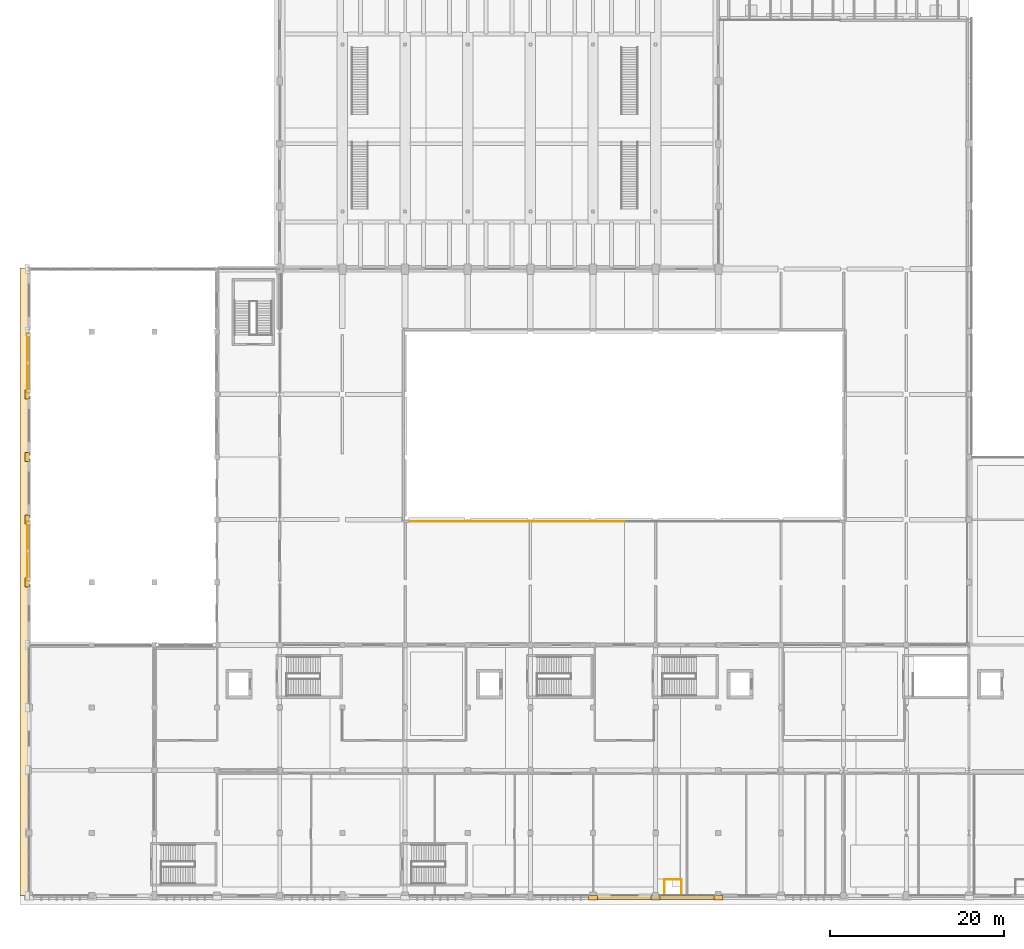
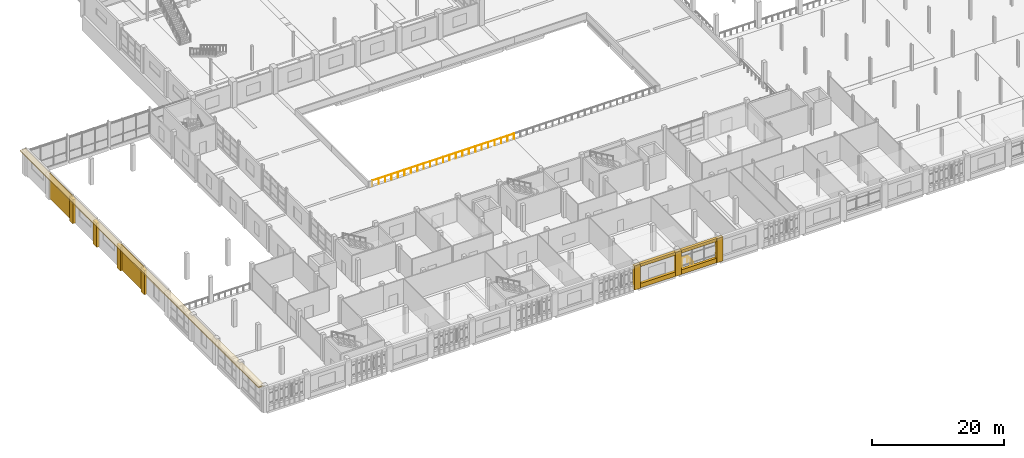
# One storey, part 70 of 82: 14 coverings, 5 railings.
"""IFC4 building model written with IfcOpenShell, lengths in metres."""

from ifc_helpers import new_model, si_unit, direction, frame, frame_2d, origin, origin_2d, place, context, subcontext, project, spatial, polyline, rectangle, circle, outline, extrude, material, layer, layer_set, type_object, element, save


model = new_model("IFC4")

# Units and contexts
model_context = context("Model", 3, precision=1e-05, world=origin(), true_north=direction((0.0, 1.0)))
body_context = subcontext(model_context, "Body", "Model", "MODEL_VIEW")
ifc_project = project(units=[si_unit("LENGTHUNIT", "METRE"), si_unit("AREAUNIT", "SQUARE_METRE"), si_unit("VOLUMEUNIT", "CUBIC_METRE"), si_unit("PLANEANGLEUNIT", "RADIAN"), si_unit("MASSUNIT", "GRAM", prefix="KILO")], contexts=[model_context])

# Site, building, storey
site_placement = place(None, origin())
site = spatial("IfcSite", under=ifc_project, at=site_placement, CompositionType="ELEMENT")
building_placement = place(site_placement, origin())
building = spatial("IfcBuilding", under=site, at=building_placement, Name="Sardonyx Promenade Sports Hall", CompositionType="ELEMENT")
storey_placement = place(building_placement, frame((0.0, 0.0, 11.199951171875)))
storey = spatial("IfcBuildingStorey", under=building, at=storey_placement, Name="L02", CompositionType="ELEMENT", Elevation=11.199951171875)

# Coverings
ifc_material_1 = material(Name="Dressed Cape red sandstone cornice", Category="masonry")
ifc_layer_1 = layer(ifc_material_1, 0.139892578125)
ifc_layer_set_1 = layer_set([ifc_layer_1], Name="Cov_Chhajja_Eave")
covering_type_1 = type_object("IfcCoveringType", Name="Cov_Chhajja_Eave", PredefinedType="MOLDING", material=ifc_layer_set_1)
covering_1_placement = place(storey_placement, frame((0.0, 0.0, 4.449951171875)))
element("IfcCovering", 1, at=covering_1_placement, inside=storey, type_object=covering_type_1, Name="West climbing L02 chhajja cornice", PredefinedType="MOLDING", context=body_context, shape_type="SweptSolid", body=[
    extrude(outline(polyline([(-1.050048828125, 0.0), (0.050048828125, 0.0), (0.050048828125, 72.10009765625), (-1.050048828125, 72.10009765625), (-1.050048828125, 0.0)])), origin(), (0.0, 0.0, 1.0), 0.22021484375),
])
ifc_material_2 = material(Name="Dressed Cape red sandstone ashlar", Category="masonry")
ifc_layer_2 = layer(ifc_material_2, 0.06005859375)
ifc_layer_set_2 = layer_set([ifc_layer_2], Name="Cov_Cladding_Sandstone")
covering_type_2 = type_object("IfcCoveringType", Name="Cov_Cladding_Sandstone", PredefinedType="CLADDING", material=ifc_layer_set_2)
for number, where, z_axis, x_axis, name in (
    (2, (-0.18505859375, 36.205078125, 0.050048828125), (0.0, 0.0, 1.0), (0.0, 1.0, 0.0), "Dressed sandstone ashlar cladding L02 #153"),
    (3, (-0.18505859375, 57.804931640625, 0.050048828125), (0.0, 0.0, 1.0), (0.0, 1.0, 0.0), "Dressed sandstone ashlar cladding L02 #156"),
):
    element("IfcCovering", number, at=place(storey_placement, frame(where, z_axis=z_axis, x_axis=x_axis)), inside=storey, type_object=covering_type_2, Name=name, PredefinedType="CLADDING", context=body_context, shape_type="SweptSolid", body=[
        extrude(rectangle(XDim=6.7900390625, YDim=0.050048828125, at=frame_2d((3.39501953125, 0.0))), origin(), (0.0, 0.0, 1.0), 4.699951171875),
    ])
covering_2_placement = place(storey_placement, origin())
element("IfcCovering", 4, at=covering_2_placement, inside=storey, type_object=covering_type_2, Name="South sandstone bay pier casing L02 #9", PredefinedType="CLADDING", context=body_context, shape_type="SweptSolid", body=[
    extrude(outline(polyline([(64.280029296875, -0.52001953125), (65.320068359375, -0.52001953125), (65.320068359375, 0.02001953125), (64.280029296875, 0.02001953125), (64.280029296875, -0.52001953125)])), origin(), (0.0, 0.0, 1.0), 4.449951171875),
])
covering_3_placement = place(storey_placement, origin())
element("IfcCovering", 5, at=covering_3_placement, inside=storey, type_object=covering_type_2, Name="South sandstone bay pier casing L02 #10", PredefinedType="CLADDING", context=body_context, shape_type="SweptSolid", body=[
    extrude(outline(polyline([(71.47998046875, -0.52001953125), (72.52001953125, -0.52001953125), (72.52001953125, 0.02001953125), (71.47998046875, 0.02001953125), (71.47998046875, -0.52001953125)])), origin(), (0.0, 0.0, 1.0), 4.449951171875),
])
covering_4_placement = place(storey_placement, origin())
element("IfcCovering", 6, at=covering_4_placement, inside=storey, type_object=covering_type_2, Name="South sandstone bay pier casing L02 #11", PredefinedType="CLADDING", context=body_context, shape_type="SweptSolid", body=[
    extrude(outline(polyline([(78.679931640625, -0.52001953125), (79.719970703125, -0.52001953125), (79.719970703125, 0.02001953125), (78.679931640625, 0.02001953125), (78.679931640625, -0.52001953125)])), origin(), (0.0, 0.0, 1.0), 4.449951171875),
])
covering_5_placement = place(storey_placement, origin())
element("IfcCovering", 7, at=covering_5_placement, inside=storey, type_object=covering_type_2, Name="South sandstone sill spandrel L02 #12", PredefinedType="CLADDING", context=body_context, shape_type="SweptSolid", body=[
    extrude(outline(polyline([(72.52001953125, -0.4599609375), (78.679931640625, -0.4599609375), (78.679931640625, 0.02001953125), (72.52001953125, 0.02001953125), (72.52001953125, -0.4599609375)])), origin(), (0.0, 0.0, 1.0), 0.820068359375),
])
covering_6_placement = place(storey_placement, frame((0.0, 0.0, 3.900146484375)))
element("IfcCovering", 8, at=covering_6_placement, inside=storey, type_object=covering_type_2, Name="South sandstone lintel frieze L02 #12", PredefinedType="CLADDING", context=body_context, shape_type="SweptSolid", body=[
    extrude(outline(polyline([(72.52001953125, -0.4599609375), (78.679931640625, -0.4599609375), (78.679931640625, 0.02001953125), (72.52001953125, 0.02001953125), (72.52001953125, -0.4599609375)])), origin(), (0.0, 0.0, 1.0), 0.5498046875),
])
covering_7_placement = place(storey_placement, origin())
element("IfcCovering", 9, at=covering_7_placement, inside=storey, type_object=covering_type_2, Name="South sandstone sill spandrel L02 #13", PredefinedType="CLADDING", context=body_context, shape_type="SweptSolid", body=[
    extrude(outline(polyline([(65.320068359375, -0.4599609375), (71.47998046875, -0.4599609375), (71.47998046875, 0.02001953125), (65.320068359375, 0.02001953125), (65.320068359375, -0.4599609375)])), origin(), (0.0, 0.0, 1.0), 0.820068359375),
])
covering_8_placement = place(storey_placement, frame((0.0, 0.0, 3.900146484375)))
element("IfcCovering", 10, at=covering_8_placement, inside=storey, type_object=covering_type_2, Name="South sandstone lintel frieze L02 #13", PredefinedType="CLADDING", context=body_context, shape_type="SweptSolid", body=[
    extrude(outline(polyline([(65.320068359375, -0.4599609375), (71.47998046875, -0.4599609375), (71.47998046875, 0.02001953125), (65.320068359375, 0.02001953125), (65.320068359375, -0.4599609375)])), origin(), (0.0, 0.0, 1.0), 0.5498046875),
])
covering_9_placement = place(storey_placement, origin())
element("IfcCovering", 11, at=covering_9_placement, inside=storey, type_object=covering_type_2, Name="West sandstone pier casing L02 #5", PredefinedType="CLADDING", context=body_context, shape_type="SweptSolid", body=[
    extrude(outline(polyline([(-0.5, 35.47998046875), (0.02001953125, 35.47998046875), (0.02001953125, 36.52001953125), (-0.5, 36.52001953125), (-0.5, 35.47998046875)])), origin(), (0.0, 0.0, 1.0), 4.449951171875),
])
covering_10_placement = place(storey_placement, origin())
element("IfcCovering", 12, at=covering_10_placement, inside=storey, type_object=covering_type_2, Name="West sandstone pier casing L02 #6", PredefinedType="CLADDING", context=body_context, shape_type="SweptSolid", body=[
    extrude(outline(polyline([(-0.5, 42.679931640625), (0.02001953125, 42.679931640625), (0.02001953125, 43.719970703125), (-0.5, 43.719970703125), (-0.5, 42.679931640625)])), origin(), (0.0, 0.0, 1.0), 4.449951171875),
])
covering_11_placement = place(storey_placement, origin())
element("IfcCovering", 13, at=covering_11_placement, inside=storey, type_object=covering_type_2, Name="West sandstone pier casing L02 #7", PredefinedType="CLADDING", context=body_context, shape_type="SweptSolid", body=[
    extrude(outline(polyline([(-0.5, 49.8798828125), (0.02001953125, 49.8798828125), (0.02001953125, 50.919921875), (-0.5, 50.919921875), (-0.5, 49.8798828125)])), origin(), (0.0, 0.0, 1.0), 4.449951171875),
])
covering_12_placement = place(storey_placement, origin())
element("IfcCovering", 14, at=covering_12_placement, inside=storey, type_object=covering_type_2, Name="West sandstone pier casing L02 #8", PredefinedType="CLADDING", context=body_context, shape_type="SweptSolid", body=[
    extrude(outline(polyline([(-0.5, 57.080078125), (0.02001953125, 57.080078125), (0.02001953125, 58.1201171875), (-0.5, 58.1201171875), (-0.5, 57.080078125)])), origin(), (0.0, 0.0, 1.0), 4.449951171875),
])

# Railings
ifc_material_3 = material(Name="Galvanised and powder-coated Steel S355JR", Category="steel")
railing_type_1 = type_object("IfcRailingType", Name="Rail_Ext_Guard_1100", PredefinedType="GUARDRAIL", material=ifc_material_3)
for number, where, name in (
    (15, (43.64990234375, 43.0, 0.0), "Terrace guardrail GR01 L02 #2"),
    (16, (56.02490234375, 43.0, 0.0), "Terrace guardrail GR01 L02 #3"),
):
    element("IfcRailing", number, at=place(storey_placement, frame(where)), inside=storey, type_object=railing_type_1, Name=name, PredefinedType="GUARDRAIL", context=body_context, shape_type="SweptSolid", body=[
        extrude(circle(Radius=0.02392578125, at=origin_2d()), frame((0.0, 0.0, 1.0810546875), z_axis=(1.0, 0.0, 0.0), x_axis=(0.0, 1.0, 0.0)), (0.0, 0.0, 1.0), 12.375),
        extrude(circle(Radius=0.02099609375, at=origin_2d()), origin(), (0.0, 0.0, 1.0), 1.056884765625),
        extrude(circle(Radius=0.02099609375, at=origin_2d()), frame((1.125, 0.0, 0.0)), (0.0, 0.0, 1.0), 1.056884765625),
        extrude(circle(Radius=0.02099609375, at=origin_2d()), frame((2.25, 0.0, 0.0)), (0.0, 0.0, 1.0), 1.056884765625),
        extrude(circle(Radius=0.02099609375, at=origin_2d()), frame((3.375, 0.0, 0.0)), (0.0, 0.0, 1.0), 1.056884765625),
        extrude(circle(Radius=0.02099609375, at=origin_2d()), frame((4.5, 0.0, 0.0)), (0.0, 0.0, 1.0), 1.056884765625),
        extrude(circle(Radius=0.02099609375, at=origin_2d()), frame((5.625, 0.0, 0.0)), (0.0, 0.0, 1.0), 1.056884765625),
        extrude(circle(Radius=0.02099609375, at=origin_2d()), frame((6.75, 0.0, 0.0)), (0.0, 0.0, 1.0), 1.056884765625),
        extrude(circle(Radius=0.02099609375, at=origin_2d()), frame((7.875, 0.0, 0.0)), (0.0, 0.0, 1.0), 1.056884765625),
        extrude(circle(Radius=0.02099609375, at=origin_2d()), frame((9.0, 0.0, 0.0)), (0.0, 0.0, 1.0), 1.056884765625),
        extrude(circle(Radius=0.02099609375, at=origin_2d()), frame((10.125, 0.0, 0.0)), (0.0, 0.0, 1.0), 1.056884765625),
        extrude(circle(Radius=0.02099609375, at=origin_2d()), frame((11.25, 0.0, 0.0)), (0.0, 0.0, 1.0), 1.056884765625),
        extrude(circle(Radius=0.02099609375, at=origin_2d()), frame((12.375, 0.0, 0.0)), (0.0, 0.0, 1.0), 1.056884765625),
    ])
ifc_material_4 = material(Name="Powder-coated Steel S355JR", Category="steel")
railing_type_2 = type_object("IfcRailingType", Name="Rail_Int_Guard_1100", PredefinedType="GUARDRAIL", material=ifc_material_4)
railing_1_placement = place(storey_placement, frame((73.0, 1.8701171875, 0.0)))
element("IfcRailing", 17, at=railing_1_placement, inside=storey, type_object=railing_type_2, Name="Deck-edge guardrail GR02 L02 #29", PredefinedType="GUARDRAIL", context=body_context, shape_type="SweptSolid", body=[
    extrude(circle(Radius=0.02392578125, at=origin_2d()), frame((0.0, 0.0, 1.09619140625), z_axis=(1.0, 0.0, 0.0), x_axis=(0.0, 1.0, 0.0)), (0.0, 0.0, 1.0), 1.9599609375),
    extrude(circle(Radius=0.02099609375, at=origin_2d()), origin(), (0.0, 0.0, 1.0), 1.072021484375),
    extrude(circle(Radius=0.02099609375, at=origin_2d()), frame((0.97998046875, 0.0, 0.0)), (0.0, 0.0, 1.0), 1.072021484375),
    extrude(circle(Radius=0.02099609375, at=origin_2d()), frame((1.9599609375, 0.0, 0.0)), (0.0, 0.0, 1.0), 1.072021484375),
])
railing_2_placement = place(storey_placement, frame((74.949951171875, 1.8798828125, 0.0)))
element("IfcRailing", 18, at=railing_2_placement, inside=storey, type_object=railing_type_2, Name="Deck-edge guardrail GR02 L02 #30", PredefinedType="GUARDRAIL", context=body_context, shape_type="SweptSolid", body=[
    extrude(circle(Radius=0.02392578125, at=origin_2d()), frame((0.0, 0.0, 1.09619140625), z_axis=(0.0, -1.0, 0.0), x_axis=(1.0, 0.0, 0.0)), (0.0, 0.0, 1.0), 1.679931640625),
    extrude(circle(Radius=0.02099609375, at=origin_2d()), origin(), (0.0, 0.0, 1.0), 1.072021484375),
    extrude(circle(Radius=0.02099609375, at=origin_2d()), frame((0.0, -0.83984375, 0.0)), (0.0, 0.0, 1.0), 1.072021484375),
    extrude(circle(Radius=0.02099609375, at=origin_2d()), frame((0.0, -1.679931640625, 0.0)), (0.0, 0.0, 1.0), 1.072021484375),
])
railing_3_placement = place(storey_placement, frame((73.010009765625, 0.199951171875, 0.0)))
element("IfcRailing", 19, at=railing_3_placement, inside=storey, type_object=railing_type_2, Name="Deck-edge guardrail GR02 L02 #52", PredefinedType="GUARDRAIL", context=body_context, shape_type="SweptSolid", body=[
    extrude(circle(Radius=0.02392578125, at=origin_2d()), frame((0.0, 0.0, 1.09619140625), z_axis=(0.0, 1.0, 0.0), x_axis=(-1.0, 0.0, 0.0)), (0.0, 0.0, 1.0), 1.679931640625),
    extrude(circle(Radius=0.02099609375, at=origin_2d()), origin(), (0.0, 0.0, 1.0), 1.072021484375),
    extrude(circle(Radius=0.02099609375, at=origin_2d()), frame((0.0, 0.83984375, 0.0)), (0.0, 0.0, 1.0), 1.072021484375),
    extrude(circle(Radius=0.02099609375, at=origin_2d()), frame((0.0, 1.679931640625, 0.0)), (0.0, 0.0, 1.0), 1.072021484375),
])

save(model, "model.ifc")
